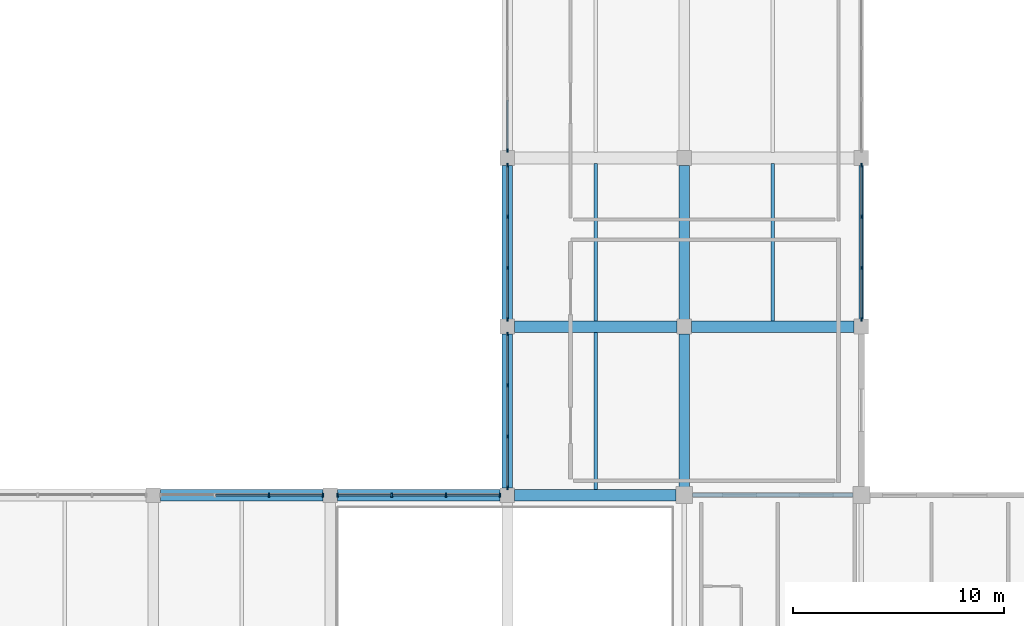
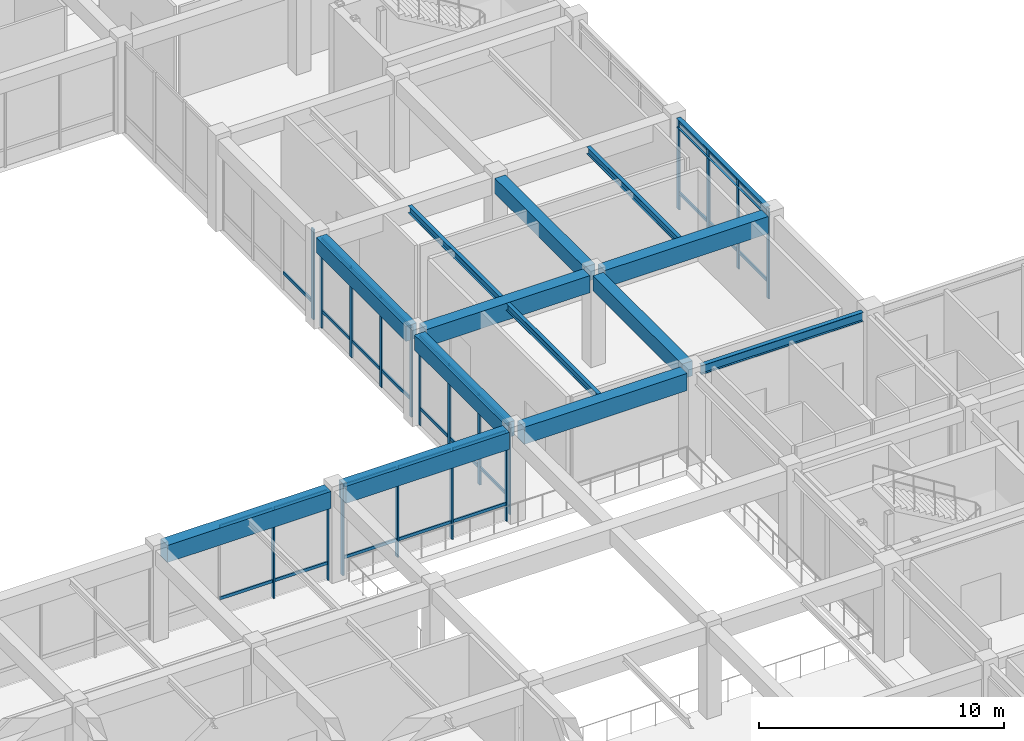
# One storey, part 22 of 76: 48 members, 14 beams, 6 elements without a shape of their own.
"""IFC4 building model written with IfcOpenShell, lengths in metres."""

from ifc_helpers import new_model, si_unit, direction, frame, origin, origin_2d, place, context, subcontext, project, spatial, rectangle, i_section, extrude, material, layer, layer_set, material_profile, profile_set, type_object, element, aggregate, save


model = new_model("IFC4")

# Units and contexts
model_context = context("Model", 3, precision=1e-05, world=origin(), true_north=direction((0.0, 1.0)))
body_context = subcontext(model_context, "Body", "Model", "MODEL_VIEW")
ifc_project = project(units=[si_unit("LENGTHUNIT", "METRE"), si_unit("AREAUNIT", "SQUARE_METRE"), si_unit("VOLUMEUNIT", "CUBIC_METRE"), si_unit("PLANEANGLEUNIT", "RADIAN"), si_unit("MASSUNIT", "GRAM", prefix="KILO")], contexts=[model_context])

# Site, building, storey
site_placement = place(None, origin())
site = spatial("IfcSite", under=ifc_project, at=site_placement, CompositionType="ELEMENT")
building_placement = place(site_placement, origin())
building = spatial("IfcBuilding", under=site, at=building_placement, Name="Naruveol Harbour Congress Hotel", CompositionType="ELEMENT")
storey_placement = place(building_placement, frame((0.0, 0.0, 11.39990234375)))
storey = spatial("IfcBuildingStorey", under=building, at=storey_placement, Name="L02", CompositionType="ELEMENT", Elevation=11.39990234375)

# Beams
ifc_material_1 = material(Name="Concrete C40/50", Category="concrete")
ifc_material_profile_1 = material_profile(ifc_material_1, rectangle(XDim=0.5, YDim=0.75, at=origin_2d()), Name="RCB-500x750")
ifc_profile_set_1 = profile_set([ifc_material_profile_1], Name="Concrete C40/50")
beam_type_1 = type_object("IfcBeamType", Name="RC FLOOR GIRDER 500X750", PredefinedType="BEAM", material=ifc_profile_set_1)
for number, where, z_axis, x_axis, name in (
    (1, (109.199951171875, 32.345947265625, 4.175048828125), (0.0, 1.0, 0.0), (-1.0, 0.0, 0.0), "Transverse girder L03 CB3"),
    (2, (109.199951171875, 40.345947265625, 4.175048828125), (0.0, 1.0, 0.0), (-1.0, 0.0, 0.0), "Transverse girder L03 CB3"),
):
    element("IfcBeam", number, at=place(storey_placement, frame(where, z_axis=z_axis, x_axis=x_axis)), inside=storey, type_object=beam_type_1, Name=name, PredefinedType="BEAM", context=body_context, shape_type="SweptSolid", body=[
        extrude(rectangle(XDim=0.5, YDim=0.75, at=origin_2d()), origin(), (0.0, 0.0, 1.0), 7.30810546875),
    ])
beam_1_placement = place(storey_placement, frame((117.60009765625, 32.39599609375, 4.175048828125), z_axis=(0.0, 1.0, 0.0), x_axis=(-1.0, 0.0, 0.0)))
element("IfcBeam", 3, at=beam_1_placement, inside=storey, type_object=beam_type_1, Name="Transverse girder L03 CB3", PredefinedType="BEAM", context=body_context, shape_type="SweptSolid", body=[
    extrude(rectangle(XDim=0.5, YDim=0.75, at=origin_2d()), origin(), (0.0, 0.0, 1.0), 7.258056640625),
])
beam_2_placement = place(storey_placement, frame((117.60009765625, 40.345947265625, 4.175048828125), z_axis=(0.0, 1.0, 0.0), x_axis=(-1.0, 0.0, 0.0)))
element("IfcBeam", 4, at=beam_2_placement, inside=storey, type_object=beam_type_1, Name="Transverse girder L03 CB3", PredefinedType="BEAM", context=body_context, shape_type="SweptSolid", body=[
    extrude(rectangle(XDim=0.5, YDim=0.75, at=origin_2d()), origin(), (0.0, 0.0, 1.0), 7.30810546875),
])
ifc_material_2 = material(Name="Concrete C40/50", Category="concrete")
ifc_material_profile_2 = material_profile(ifc_material_2, rectangle(XDim=0.550048828125, YDim=0.85009765625, at=origin_2d()), Name="RCB-550x850")
ifc_profile_set_2 = profile_set([ifc_material_profile_2], Name="Concrete C40/50")
beam_type_2 = type_object("IfcBeamType", Name="RC PRIMARY GIRDER 550X850", PredefinedType="BEAM", material=ifc_profile_set_2)
for number, where, z_axis, x_axis, name in (
    (5, (92.74609375, 32.0, 4.125), (1.0, 0.0, 0.0), (0.0, 1.0, 0.0), "Floor girder L03 CB2"),
    (6, (101.14599609375, 32.0, 4.125), (1.0, 0.0, 0.0), (0.0, 1.0, 0.0), "Floor girder L03 CB2"),
):
    element("IfcBeam", number, at=place(storey_placement, frame(where, z_axis=z_axis, x_axis=x_axis)), inside=storey, type_object=beam_type_2, Name=name, PredefinedType="BEAM", context=body_context, shape_type="SweptSolid", body=[
        extrude(rectangle(XDim=0.550048828125, YDim=0.85009765625, at=origin_2d()), origin(), (0.0, 0.0, 1.0), 7.7080078125),
    ])
beam_3_placement = place(storey_placement, frame((109.5458984375, 32.0, 4.125), z_axis=(1.0, 0.0, 0.0), x_axis=(0.0, 1.0, 0.0)))
element("IfcBeam", 7, at=beam_3_placement, inside=storey, type_object=beam_type_2, Name="Floor girder L03 CB2", PredefinedType="BEAM", context=body_context, shape_type="SweptSolid", body=[
    extrude(rectangle(XDim=0.550048828125, YDim=0.85009765625, at=origin_2d()), origin(), (0.0, 0.0, 1.0), 7.658203125),
])
for number, where, z_axis, x_axis, name in (
    (8, (109.5458984375, 40.0, 4.125), (1.0, 0.0, 0.0), (0.0, 1.0, 0.0), "Floor girder L03 CB2"),
    (9, (117.946044921875, 40.0, 4.125), (1.0, 0.0, 0.0), (0.0, 1.0, 0.0), "Floor girder L03 CB2"),
):
    element("IfcBeam", number, at=place(storey_placement, frame(where, z_axis=z_axis, x_axis=x_axis)), inside=storey, type_object=beam_type_2, Name=name, PredefinedType="BEAM", context=body_context, shape_type="SweptSolid", body=[
        extrude(rectangle(XDim=0.550048828125, YDim=0.85009765625, at=origin_2d()), origin(), (0.0, 0.0, 1.0), 7.7080078125),
    ])
ifc_material_3 = material(Name="Steel SN490", Category="steel")
ifc_material_profile_3 = material_profile(ifc_material_3, i_section(OverallWidth=0.175048828125, OverallDepth=0.35009765625, WebThickness=0.007080078125, FlangeThickness=0.010986328125, at=origin_2d()), Name="H-350x175x7x11")
ifc_profile_set_3 = profile_set([ifc_material_profile_3], Name="Steel SN490")
beam_type_3 = type_object("IfcBeamType", Name="STEEL SECONDARY JOIST H350", PredefinedType="JOIST", material=ifc_profile_set_3)
for number, where, z_axis, x_axis, name in (
    (10, (113.39990234375, 32.27099609375, 4.375), (0.0, 1.0, 0.0), (-1.0, 0.0, 0.0), "Secondary floor joist L03 SJ2"),
    (11, (113.39990234375, 40.27099609375, 4.375), (0.0, 1.0, 0.0), (-1.0, 0.0, 0.0), "Secondary floor joist L03 SJ2"),
    (12, (121.800048828125, 40.27099609375, 4.375), (0.0, 1.0, 0.0), (-1.0, 0.0, 0.0), "Secondary floor joist L03 SJ2"),
):
    element("IfcBeam", number, at=place(storey_placement, frame(where, z_axis=z_axis, x_axis=x_axis)), inside=storey, type_object=beam_type_3, Name=name, PredefinedType="JOIST", context=body_context, shape_type="SweptSolid", body=[
        extrude(i_section(OverallWidth=0.175048828125, OverallDepth=0.35009765625, WebThickness=0.007080078125, FlangeThickness=0.010986328125, at=origin_2d()), origin(), (0.0, 0.0, 1.0), 7.4580078125),
    ])
ifc_material_4 = material(Name="Steel SN490", Category="steel")
ifc_material_profile_4 = material_profile(ifc_material_4, i_section(OverallWidth=0.199951171875, OverallDepth=0.449951171875, WebThickness=0.009033203125, FlangeThickness=0.013916015625, at=origin_2d()), Name="H-450x200x9x14")
ifc_profile_set_4 = profile_set([ifc_material_profile_4], Name="Steel SN490")
beam_type_4 = type_object("IfcBeamType", Name="STEEL SPANDREL EDGE BEAM H450", PredefinedType="SPANDREL", material=ifc_profile_set_4)
beam_4_placement = place(storey_placement, frame((126.0, 40.345947265625, 4.3251953125), z_axis=(0.0, 1.0, 0.0), x_axis=(-1.0, 0.0, 0.0)))
element("IfcBeam", 13, at=beam_4_placement, inside=storey, type_object=beam_type_4, Name="Transverse girder L03 SPB2", PredefinedType="SPANDREL", context=body_context, shape_type="SweptSolid", body=[
    extrude(i_section(OverallWidth=0.199951171875, OverallDepth=0.449951171875, WebThickness=0.009033203125, FlangeThickness=0.013916015625, at=origin_2d()), origin(), (0.0, 0.0, 1.0), 7.30810546875),
])
beam_5_placement = place(storey_placement, frame((117.99609375, 32.0, 4.3251953125), z_axis=(1.0, 0.0, 0.0), x_axis=(0.0, 1.0, 0.0)))
element("IfcBeam", 14, at=beam_5_placement, inside=storey, type_object=beam_type_4, Name="Hotel chord beam L03 SPB2", PredefinedType="SPANDREL", context=body_context, shape_type="SweptSolid", body=[
    extrude(i_section(OverallWidth=0.199951171875, OverallDepth=0.449951171875, WebThickness=0.009033203125, FlangeThickness=0.013916015625, at=origin_2d()), origin(), (0.0, 0.0, 1.0), 7.60791015625),
])

# Curtain wall, members
ifc_material_5 = material(Name="Low-E Curtain Wall System", Category="glass")
ifc_layer_1 = layer(ifc_material_5, 0.179931640625)
ifc_layer_set_1 = layer_set([ifc_layer_1], Name="Low-E Curtain Wall System")
curtain_wall_type_1 = type_object("IfcCurtainWallType", Name="UNITISED CURTAIN WALL CW-V4E-39 7300X4500", PredefinedType="USERDEFINED", material=ifc_layer_set_1)
curtain_wall_1_placement = place(storey_placement, origin())
curtain_wall_1 = element("IfcCurtainWall", 15, at=curtain_wall_1_placement, inside=storey, type_object=curtain_wall_type_1, Name="Unitised curtain wall CW-V4E-39 L02", ObjectType="UNITISED GLAZING", PredefinedType="USERDEFINED")
ifc_material_6 = material(Name="Anodised Aluminium 6063-T6", Category="aluminium")
ifc_material_profile_5 = material_profile(ifc_material_6, rectangle(XDim=0.074951171875, YDim=0.179931640625, at=origin_2d()), Name="ALU-75x180")
ifc_profile_set_5 = profile_set([ifc_material_profile_5], Name="Anodised Aluminium 6063-T6")
member_type_1 = type_object("IfcMemberType", Name="THERMAL ALUMINIUM MULLION 75X180", PredefinedType="MULLION", material=ifc_profile_set_5)
member_1_placement = place(storey_placement, frame((126.0, 47.64990234375, 0.0), z_axis=(0.0, 0.0, 1.0), x_axis=(1.0, 0.0, 0.0)))
member_1 = element("IfcMember", 16, at=member_1_placement, type_object=member_type_1, Name="Curtain wall mullion CW-L02-0101-M0", PredefinedType="MULLION", context=body_context, shape_type="SweptSolid", body=[
    extrude(rectangle(XDim=0.074951171875, YDim=0.179931640625, at=origin_2d()), origin(), (0.0, 0.0, 1.0), 4.5),
])
member_2_placement = place(storey_placement, frame((126.0, 45.216796875, 0.0), z_axis=(0.0, 0.0, 1.0), x_axis=(1.0, 0.0, 0.0)))
member_2 = element("IfcMember", 17, at=member_2_placement, type_object=member_type_1, Name="Curtain wall mullion CW-L02-0101-M1", PredefinedType="MULLION", context=body_context, shape_type="SweptSolid", body=[
    extrude(rectangle(XDim=0.074951171875, YDim=0.179931640625, at=origin_2d()), origin(), (0.0, 0.0, 1.0), 4.5),
])
member_3_placement = place(storey_placement, frame((126.0, 42.783203125, 0.0), z_axis=(0.0, 0.0, 1.0), x_axis=(1.0, 0.0, 0.0)))
member_3 = element("IfcMember", 18, at=member_3_placement, type_object=member_type_1, Name="Curtain wall mullion CW-L02-0101-M2", PredefinedType="MULLION", context=body_context, shape_type="SweptSolid", body=[
    extrude(rectangle(XDim=0.074951171875, YDim=0.179931640625, at=origin_2d()), origin(), (0.0, 0.0, 1.0), 4.5),
])
member_4_placement = place(storey_placement, frame((126.0, 40.35009765625, 0.0), z_axis=(0.0, 0.0, 1.0), x_axis=(1.0, 0.0, 0.0)))
member_4 = element("IfcMember", 19, at=member_4_placement, type_object=member_type_1, Name="Curtain wall mullion CW-L02-0101-M3", PredefinedType="MULLION", context=body_context, shape_type="SweptSolid", body=[
    extrude(rectangle(XDim=0.074951171875, YDim=0.179931640625, at=origin_2d()), origin(), (0.0, 0.0, 1.0), 4.5),
])

ifc_material_7 = material(Name="Low-E Curtain Wall System", Category="glass")
ifc_layer_2 = layer(ifc_material_7, 0.179931640625)
ifc_layer_set_2 = layer_set([ifc_layer_2], Name="Low-E Curtain Wall System")
curtain_wall_type_2 = type_object("IfcCurtainWallType", Name="UNITISED CURTAIN WALL CW-CTS-42 7700X4500", PredefinedType="USERDEFINED", material=ifc_layer_set_2)
curtain_wall_2_placement = place(storey_placement, origin())
curtain_wall_2 = element("IfcCurtainWall", 20, at=curtain_wall_2_placement, inside=storey, type_object=curtain_wall_type_2, Name="Unitised curtain wall CW-CTS-42 L02", ObjectType="UNITISED GLAZING", PredefinedType="USERDEFINED")
member_5_placement = place(storey_placement, frame((97.88330078125, 32.0, 0.0), z_axis=(0.0, 0.0, 1.0), x_axis=(1.0, 0.0, 0.0)))
member_5 = element("IfcMember", 21, at=member_5_placement, type_object=member_type_1, Name="Curtain wall mullion CW-L02-0111-M2", PredefinedType="MULLION", context=body_context, shape_type="SweptSolid", body=[
    extrude(rectangle(XDim=0.074951171875, YDim=0.179931640625, at=origin_2d()), origin(), (0.0, 0.0, 1.0), 4.5),
])
member_6_placement = place(storey_placement, frame((100.449951171875, 32.0, 0.0), z_axis=(0.0, 0.0, 1.0), x_axis=(1.0, 0.0, 0.0)))
member_6 = element("IfcMember", 22, at=member_6_placement, type_object=member_type_1, Name="Curtain wall mullion CW-L02-0111-M3", PredefinedType="MULLION", context=body_context, shape_type="SweptSolid", body=[
    extrude(rectangle(XDim=0.074951171875, YDim=0.179931640625, at=origin_2d()), origin(), (0.0, 0.0, 1.0), 4.5),
])

curtain_wall_3_placement = place(storey_placement, origin())
curtain_wall_3 = element("IfcCurtainWall", 23, at=curtain_wall_3_placement, inside=storey, type_object=curtain_wall_type_2, Name="Unitised curtain wall CW-CTS-42 L02", ObjectType="UNITISED GLAZING", PredefinedType="USERDEFINED")
member_7_placement = place(storey_placement, frame((101.14990234375, 32.0, 0.0), z_axis=(0.0, 0.0, 1.0), x_axis=(1.0, 0.0, 0.0)))
member_7 = element("IfcMember", 24, at=member_7_placement, type_object=member_type_1, Name="Curtain wall mullion CW-L02-0113-M0", PredefinedType="MULLION", context=body_context, shape_type="SweptSolid", body=[
    extrude(rectangle(XDim=0.074951171875, YDim=0.179931640625, at=origin_2d()), origin(), (0.0, 0.0, 1.0), 4.5),
])
member_8_placement = place(storey_placement, frame((103.716796875, 32.0, 0.0), z_axis=(0.0, 0.0, 1.0), x_axis=(1.0, 0.0, 0.0)))
member_8 = element("IfcMember", 25, at=member_8_placement, type_object=member_type_1, Name="Curtain wall mullion CW-L02-0113-M1", PredefinedType="MULLION", context=body_context, shape_type="SweptSolid", body=[
    extrude(rectangle(XDim=0.074951171875, YDim=0.179931640625, at=origin_2d()), origin(), (0.0, 0.0, 1.0), 4.5),
])
member_9_placement = place(storey_placement, frame((106.283203125, 32.0, 0.0), z_axis=(0.0, 0.0, 1.0), x_axis=(1.0, 0.0, 0.0)))
member_9 = element("IfcMember", 26, at=member_9_placement, type_object=member_type_1, Name="Curtain wall mullion CW-L02-0113-M2", PredefinedType="MULLION", context=body_context, shape_type="SweptSolid", body=[
    extrude(rectangle(XDim=0.074951171875, YDim=0.179931640625, at=origin_2d()), origin(), (0.0, 0.0, 1.0), 4.5),
])
member_10_placement = place(storey_placement, frame((108.85009765625, 32.0, 0.0), z_axis=(0.0, 0.0, 1.0), x_axis=(1.0, 0.0, 0.0)))
member_10 = element("IfcMember", 27, at=member_10_placement, type_object=member_type_1, Name="Curtain wall mullion CW-L02-0113-M3", PredefinedType="MULLION", context=body_context, shape_type="SweptSolid", body=[
    extrude(rectangle(XDim=0.074951171875, YDim=0.179931640625, at=origin_2d()), origin(), (0.0, 0.0, 1.0), 4.5),
])

ifc_material_8 = material(Name="Low-E Curtain Wall System", Category="glass")
ifc_layer_3 = layer(ifc_material_8, 0.179931640625)
ifc_layer_set_3 = layer_set([ifc_layer_3], Name="Low-E Curtain Wall System")
curtain_wall_type_3 = type_object("IfcCurtainWallType", Name="UNITISED CURTAIN WALL CW-CTE-44 7300X4500", PredefinedType="USERDEFINED", material=ifc_layer_set_3)
curtain_wall_4_placement = place(storey_placement, origin())
curtain_wall_4 = element("IfcCurtainWall", 28, at=curtain_wall_4_placement, inside=storey, type_object=curtain_wall_type_3, Name="Unitised curtain wall CW-CTE-44 L02", ObjectType="UNITISED GLAZING", PredefinedType="USERDEFINED")
member_11_placement = place(storey_placement, frame((109.199951171875, 39.64990234375, 0.0), z_axis=(0.0, 0.0, 1.0), x_axis=(1.0, 0.0, 0.0)))
member_11 = element("IfcMember", 29, at=member_11_placement, type_object=member_type_1, Name="Curtain wall mullion CW-L02-0115-M0", PredefinedType="MULLION", context=body_context, shape_type="SweptSolid", body=[
    extrude(rectangle(XDim=0.074951171875, YDim=0.179931640625, at=origin_2d()), origin(), (0.0, 0.0, 1.0), 4.5),
])
member_12_placement = place(storey_placement, frame((109.199951171875, 37.216796875, 0.0), z_axis=(0.0, 0.0, 1.0), x_axis=(1.0, 0.0, 0.0)))
member_12 = element("IfcMember", 30, at=member_12_placement, type_object=member_type_1, Name="Curtain wall mullion CW-L02-0115-M1", PredefinedType="MULLION", context=body_context, shape_type="SweptSolid", body=[
    extrude(rectangle(XDim=0.074951171875, YDim=0.179931640625, at=origin_2d()), origin(), (0.0, 0.0, 1.0), 4.5),
])
member_13_placement = place(storey_placement, frame((109.199951171875, 34.783203125, 0.0), z_axis=(0.0, 0.0, 1.0), x_axis=(1.0, 0.0, 0.0)))
member_13 = element("IfcMember", 31, at=member_13_placement, type_object=member_type_1, Name="Curtain wall mullion CW-L02-0115-M2", PredefinedType="MULLION", context=body_context, shape_type="SweptSolid", body=[
    extrude(rectangle(XDim=0.074951171875, YDim=0.179931640625, at=origin_2d()), origin(), (0.0, 0.0, 1.0), 4.5),
])
member_14_placement = place(storey_placement, frame((109.199951171875, 32.35009765625, 0.0), z_axis=(0.0, 0.0, 1.0), x_axis=(1.0, 0.0, 0.0)))
member_14 = element("IfcMember", 32, at=member_14_placement, type_object=member_type_1, Name="Curtain wall mullion CW-L02-0115-M3", PredefinedType="MULLION", context=body_context, shape_type="SweptSolid", body=[
    extrude(rectangle(XDim=0.074951171875, YDim=0.179931640625, at=origin_2d()), origin(), (0.0, 0.0, 1.0), 4.5),
])

curtain_wall_5_placement = place(storey_placement, origin())
curtain_wall_5 = element("IfcCurtainWall", 33, at=curtain_wall_5_placement, inside=storey, type_object=curtain_wall_type_3, Name="Unitised curtain wall CW-CTE-44 L02", ObjectType="UNITISED GLAZING", PredefinedType="USERDEFINED")
member_15_placement = place(storey_placement, frame((109.199951171875, 47.64990234375, 0.0), z_axis=(0.0, 0.0, 1.0), x_axis=(1.0, 0.0, 0.0)))
member_15 = element("IfcMember", 34, at=member_15_placement, type_object=member_type_1, Name="Curtain wall mullion CW-L02-0117-M0", PredefinedType="MULLION", context=body_context, shape_type="SweptSolid", body=[
    extrude(rectangle(XDim=0.074951171875, YDim=0.179931640625, at=origin_2d()), origin(), (0.0, 0.0, 1.0), 4.5),
])
member_16_placement = place(storey_placement, frame((109.199951171875, 45.216796875, 0.0), z_axis=(0.0, 0.0, 1.0), x_axis=(1.0, 0.0, 0.0)))
member_16 = element("IfcMember", 35, at=member_16_placement, type_object=member_type_1, Name="Curtain wall mullion CW-L02-0117-M1", PredefinedType="MULLION", context=body_context, shape_type="SweptSolid", body=[
    extrude(rectangle(XDim=0.074951171875, YDim=0.179931640625, at=origin_2d()), origin(), (0.0, 0.0, 1.0), 4.5),
])
member_17_placement = place(storey_placement, frame((109.199951171875, 42.783203125, 0.0), z_axis=(0.0, 0.0, 1.0), x_axis=(1.0, 0.0, 0.0)))
member_17 = element("IfcMember", 36, at=member_17_placement, type_object=member_type_1, Name="Curtain wall mullion CW-L02-0117-M2", PredefinedType="MULLION", context=body_context, shape_type="SweptSolid", body=[
    extrude(rectangle(XDim=0.074951171875, YDim=0.179931640625, at=origin_2d()), origin(), (0.0, 0.0, 1.0), 4.5),
])
member_18_placement = place(storey_placement, frame((109.199951171875, 40.35009765625, 0.0), z_axis=(0.0, 0.0, 1.0), x_axis=(1.0, 0.0, 0.0)))
member_18 = element("IfcMember", 37, at=member_18_placement, type_object=member_type_1, Name="Curtain wall mullion CW-L02-0117-M3", PredefinedType="MULLION", context=body_context, shape_type="SweptSolid", body=[
    extrude(rectangle(XDim=0.074951171875, YDim=0.179931640625, at=origin_2d()), origin(), (0.0, 0.0, 1.0), 4.5),
])

# Curtain wall, member
curtain_wall_6_placement = place(storey_placement, origin())
curtain_wall_6 = element("IfcCurtainWall", 38, at=curtain_wall_6_placement, inside=storey, type_object=curtain_wall_type_3, Name="Unitised curtain wall CW-CTE-44 L02", ObjectType="UNITISED GLAZING", PredefinedType="USERDEFINED")
member_19_placement = place(storey_placement, frame((109.199951171875, 48.35009765625, 0.0), z_axis=(0.0, 0.0, 1.0), x_axis=(1.0, 0.0, 0.0)))
member_19 = element("IfcMember", 39, at=member_19_placement, type_object=member_type_1, Name="Curtain wall mullion CW-L02-0119-M3", PredefinedType="MULLION", context=body_context, shape_type="SweptSolid", body=[
    extrude(rectangle(XDim=0.074951171875, YDim=0.179931640625, at=origin_2d()), origin(), (0.0, 0.0, 1.0), 4.5),
])

# Member
ifc_material_9 = material(Name="Anodised Aluminium 6063-T6", Category="aluminium")
ifc_material_profile_6 = material_profile(ifc_material_9, rectangle(XDim=0.074951171875, YDim=0.14990234375, at=origin_2d()), Name="ALU-75x150")
ifc_profile_set_6 = profile_set([ifc_material_profile_6], Name="Anodised Aluminium 6063-T6")
member_type_2 = type_object("IfcMemberType", Name="THERMAL ALUMINIUM TRANSOM 75X150", PredefinedType="USERDEFINED", material=ifc_profile_set_6)
member_20_placement = place(storey_placement, frame((126.0, 47.610107421875, 0.85009765625), z_axis=(0.0, -1.0, 0.0), x_axis=(1.0, 0.0, 0.0)))
member_20 = element("IfcMember", 40, at=member_20_placement, type_object=member_type_2, Name="Curtain wall transom CW-L02-0101-T0.1", ObjectType="TRANSOM", PredefinedType="USERDEFINED", context=body_context, shape_type="SweptSolid", body=[
    extrude(rectangle(XDim=0.074951171875, YDim=0.14990234375, at=origin_2d()), origin(), (0.0, 0.0, 1.0), 2.353515625),
])

member_21_placement = place(storey_placement, frame((126.0, 47.610107421875, 4.420166015625), z_axis=(0.0, -1.0, 0.0), x_axis=(1.0, 0.0, 0.0)))
member_21 = element("IfcMember", 41, at=member_21_placement, type_object=member_type_2, Name="Curtain wall transom CW-L02-0101-T0.2", ObjectType="TRANSOM", PredefinedType="USERDEFINED", context=body_context, shape_type="SweptSolid", body=[
    extrude(rectangle(XDim=0.074951171875, YDim=0.14990234375, at=origin_2d()), origin(), (0.0, 0.0, 1.0), 2.353515625),
])

member_22_placement = place(storey_placement, frame((126.0, 45.1767578125, 0.85009765625), z_axis=(0.0, -1.0, 0.0), x_axis=(1.0, 0.0, 0.0)))
member_22 = element("IfcMember", 42, at=member_22_placement, type_object=member_type_2, Name="Curtain wall transom CW-L02-0101-T1.1", ObjectType="TRANSOM", PredefinedType="USERDEFINED", context=body_context, shape_type="SweptSolid", body=[
    extrude(rectangle(XDim=0.074951171875, YDim=0.14990234375, at=origin_2d()), origin(), (0.0, 0.0, 1.0), 2.353515625),
])

member_23_placement = place(storey_placement, frame((126.0, 45.1767578125, 4.420166015625), z_axis=(0.0, -1.0, 0.0), x_axis=(1.0, 0.0, 0.0)))
member_23 = element("IfcMember", 43, at=member_23_placement, type_object=member_type_2, Name="Curtain wall transom CW-L02-0101-T1.2", ObjectType="TRANSOM", PredefinedType="USERDEFINED", context=body_context, shape_type="SweptSolid", body=[
    extrude(rectangle(XDim=0.074951171875, YDim=0.14990234375, at=origin_2d()), origin(), (0.0, 0.0, 1.0), 2.353515625),
])

member_24_placement = place(storey_placement, frame((126.0, 42.743408203125, 0.85009765625), z_axis=(0.0, -1.0, 0.0), x_axis=(1.0, 0.0, 0.0)))
member_24 = element("IfcMember", 44, at=member_24_placement, type_object=member_type_2, Name="Curtain wall transom CW-L02-0101-T2.1", ObjectType="TRANSOM", PredefinedType="USERDEFINED", context=body_context, shape_type="SweptSolid", body=[
    extrude(rectangle(XDim=0.074951171875, YDim=0.14990234375, at=origin_2d()), origin(), (0.0, 0.0, 1.0), 2.353515625),
])

member_25_placement = place(storey_placement, frame((126.0, 42.743408203125, 4.420166015625), z_axis=(0.0, -1.0, 0.0), x_axis=(1.0, 0.0, 0.0)))
member_25 = element("IfcMember", 45, at=member_25_placement, type_object=member_type_2, Name="Curtain wall transom CW-L02-0101-T2.2", ObjectType="TRANSOM", PredefinedType="USERDEFINED", context=body_context, shape_type="SweptSolid", body=[
    extrude(rectangle(XDim=0.074951171875, YDim=0.14990234375, at=origin_2d()), origin(), (0.0, 0.0, 1.0), 2.353515625),
])

aggregate(curtain_wall_1, [member_1, member_2, member_3, member_4, member_20, member_21, member_22, member_23, member_24, member_25])

member_26_placement = place(storey_placement, frame((95.356689453125, 32.0, 0.85009765625), z_axis=(1.0, 0.0, 0.0), x_axis=(0.0, 1.0, 0.0)))
member_26 = element("IfcMember", 46, at=member_26_placement, type_object=member_type_2, Name="Curtain wall transom CW-L02-0111-T1.1", ObjectType="TRANSOM", PredefinedType="USERDEFINED", context=body_context, shape_type="SweptSolid", body=[
    extrude(rectangle(XDim=0.074951171875, YDim=0.14990234375, at=origin_2d()), origin(), (0.0, 0.0, 1.0), 2.486572265625),
])

member_27_placement = place(storey_placement, frame((95.356689453125, 32.0, 4.420166015625), z_axis=(1.0, 0.0, 0.0), x_axis=(0.0, 1.0, 0.0)))
member_27 = element("IfcMember", 47, at=member_27_placement, type_object=member_type_2, Name="Curtain wall transom CW-L02-0111-T1.2", ObjectType="TRANSOM", PredefinedType="USERDEFINED", context=body_context, shape_type="SweptSolid", body=[
    extrude(rectangle(XDim=0.074951171875, YDim=0.14990234375, at=origin_2d()), origin(), (0.0, 0.0, 1.0), 2.486572265625),
])

member_28_placement = place(storey_placement, frame((97.92333984375, 32.0, 0.85009765625), z_axis=(1.0, 0.0, 0.0), x_axis=(0.0, 1.0, 0.0)))
member_28 = element("IfcMember", 48, at=member_28_placement, type_object=member_type_2, Name="Curtain wall transom CW-L02-0111-T2.1", ObjectType="TRANSOM", PredefinedType="USERDEFINED", context=body_context, shape_type="SweptSolid", body=[
    extrude(rectangle(XDim=0.074951171875, YDim=0.14990234375, at=origin_2d()), origin(), (0.0, 0.0, 1.0), 2.486572265625),
])

member_29_placement = place(storey_placement, frame((97.92333984375, 32.0, 4.420166015625), z_axis=(1.0, 0.0, 0.0), x_axis=(0.0, 1.0, 0.0)))
member_29 = element("IfcMember", 49, at=member_29_placement, type_object=member_type_2, Name="Curtain wall transom CW-L02-0111-T2.2", ObjectType="TRANSOM", PredefinedType="USERDEFINED", context=body_context, shape_type="SweptSolid", body=[
    extrude(rectangle(XDim=0.074951171875, YDim=0.14990234375, at=origin_2d()), origin(), (0.0, 0.0, 1.0), 2.486572265625),
])

aggregate(curtain_wall_2, [member_5, member_6, member_26, member_27, member_28, member_29])

member_30_placement = place(storey_placement, frame((101.18994140625, 32.0, 0.85009765625), z_axis=(1.0, 0.0, 0.0), x_axis=(0.0, 1.0, 0.0)))
member_30 = element("IfcMember", 50, at=member_30_placement, type_object=member_type_2, Name="Curtain wall transom CW-L02-0113-T0.1", ObjectType="TRANSOM", PredefinedType="USERDEFINED", context=body_context, shape_type="SweptSolid", body=[
    extrude(rectangle(XDim=0.074951171875, YDim=0.14990234375, at=origin_2d()), origin(), (0.0, 0.0, 1.0), 2.48681640625),
])

member_31_placement = place(storey_placement, frame((101.18994140625, 32.0, 4.420166015625), z_axis=(1.0, 0.0, 0.0), x_axis=(0.0, 1.0, 0.0)))
member_31 = element("IfcMember", 51, at=member_31_placement, type_object=member_type_2, Name="Curtain wall transom CW-L02-0113-T0.2", ObjectType="TRANSOM", PredefinedType="USERDEFINED", context=body_context, shape_type="SweptSolid", body=[
    extrude(rectangle(XDim=0.074951171875, YDim=0.14990234375, at=origin_2d()), origin(), (0.0, 0.0, 1.0), 2.48681640625),
])

member_32_placement = place(storey_placement, frame((103.756591796875, 32.0, 0.85009765625), z_axis=(1.0, 0.0, 0.0), x_axis=(0.0, 1.0, 0.0)))
member_32 = element("IfcMember", 52, at=member_32_placement, type_object=member_type_2, Name="Curtain wall transom CW-L02-0113-T1.1", ObjectType="TRANSOM", PredefinedType="USERDEFINED", context=body_context, shape_type="SweptSolid", body=[
    extrude(rectangle(XDim=0.074951171875, YDim=0.14990234375, at=origin_2d()), origin(), (0.0, 0.0, 1.0), 2.48681640625),
])

member_33_placement = place(storey_placement, frame((103.756591796875, 32.0, 4.420166015625), z_axis=(1.0, 0.0, 0.0), x_axis=(0.0, 1.0, 0.0)))
member_33 = element("IfcMember", 53, at=member_33_placement, type_object=member_type_2, Name="Curtain wall transom CW-L02-0113-T1.2", ObjectType="TRANSOM", PredefinedType="USERDEFINED", context=body_context, shape_type="SweptSolid", body=[
    extrude(rectangle(XDim=0.074951171875, YDim=0.14990234375, at=origin_2d()), origin(), (0.0, 0.0, 1.0), 2.48681640625),
])

member_34_placement = place(storey_placement, frame((106.3232421875, 32.0, 0.85009765625), z_axis=(1.0, 0.0, 0.0), x_axis=(0.0, 1.0, 0.0)))
member_34 = element("IfcMember", 54, at=member_34_placement, type_object=member_type_2, Name="Curtain wall transom CW-L02-0113-T2.1", ObjectType="TRANSOM", PredefinedType="USERDEFINED", context=body_context, shape_type="SweptSolid", body=[
    extrude(rectangle(XDim=0.074951171875, YDim=0.14990234375, at=origin_2d()), origin(), (0.0, 0.0, 1.0), 2.48681640625),
])

member_35_placement = place(storey_placement, frame((106.3232421875, 32.0, 4.420166015625), z_axis=(1.0, 0.0, 0.0), x_axis=(0.0, 1.0, 0.0)))
member_35 = element("IfcMember", 55, at=member_35_placement, type_object=member_type_2, Name="Curtain wall transom CW-L02-0113-T2.2", ObjectType="TRANSOM", PredefinedType="USERDEFINED", context=body_context, shape_type="SweptSolid", body=[
    extrude(rectangle(XDim=0.074951171875, YDim=0.14990234375, at=origin_2d()), origin(), (0.0, 0.0, 1.0), 2.48681640625),
])

aggregate(curtain_wall_3, [member_7, member_8, member_9, member_10, member_30, member_31, member_32, member_33, member_34, member_35])

member_36_placement = place(storey_placement, frame((109.199951171875, 39.610107421875, 0.85009765625), z_axis=(0.0, -1.0, 0.0), x_axis=(1.0, 0.0, 0.0)))
member_36 = element("IfcMember", 56, at=member_36_placement, type_object=member_type_2, Name="Curtain wall transom CW-L02-0115-T0.1", ObjectType="TRANSOM", PredefinedType="USERDEFINED", context=body_context, shape_type="SweptSolid", body=[
    extrude(rectangle(XDim=0.074951171875, YDim=0.14990234375, at=origin_2d()), origin(), (0.0, 0.0, 1.0), 2.353515625),
])

member_37_placement = place(storey_placement, frame((109.199951171875, 39.610107421875, 4.420166015625), z_axis=(0.0, -1.0, 0.0), x_axis=(1.0, 0.0, 0.0)))
member_37 = element("IfcMember", 57, at=member_37_placement, type_object=member_type_2, Name="Curtain wall transom CW-L02-0115-T0.2", ObjectType="TRANSOM", PredefinedType="USERDEFINED", context=body_context, shape_type="SweptSolid", body=[
    extrude(rectangle(XDim=0.074951171875, YDim=0.14990234375, at=origin_2d()), origin(), (0.0, 0.0, 1.0), 2.353515625),
])

member_38_placement = place(storey_placement, frame((109.199951171875, 37.1767578125, 0.85009765625), z_axis=(0.0, -1.0, 0.0), x_axis=(1.0, 0.0, 0.0)))
member_38 = element("IfcMember", 58, at=member_38_placement, type_object=member_type_2, Name="Curtain wall transom CW-L02-0115-T1.1", ObjectType="TRANSOM", PredefinedType="USERDEFINED", context=body_context, shape_type="SweptSolid", body=[
    extrude(rectangle(XDim=0.074951171875, YDim=0.14990234375, at=origin_2d()), origin(), (0.0, 0.0, 1.0), 2.353515625),
])

member_39_placement = place(storey_placement, frame((109.199951171875, 37.1767578125, 4.420166015625), z_axis=(0.0, -1.0, 0.0), x_axis=(1.0, 0.0, 0.0)))
member_39 = element("IfcMember", 59, at=member_39_placement, type_object=member_type_2, Name="Curtain wall transom CW-L02-0115-T1.2", ObjectType="TRANSOM", PredefinedType="USERDEFINED", context=body_context, shape_type="SweptSolid", body=[
    extrude(rectangle(XDim=0.074951171875, YDim=0.14990234375, at=origin_2d()), origin(), (0.0, 0.0, 1.0), 2.353515625),
])

member_40_placement = place(storey_placement, frame((109.199951171875, 34.743408203125, 0.85009765625), z_axis=(0.0, -1.0, 0.0), x_axis=(1.0, 0.0, 0.0)))
member_40 = element("IfcMember", 60, at=member_40_placement, type_object=member_type_2, Name="Curtain wall transom CW-L02-0115-T2.1", ObjectType="TRANSOM", PredefinedType="USERDEFINED", context=body_context, shape_type="SweptSolid", body=[
    extrude(rectangle(XDim=0.074951171875, YDim=0.14990234375, at=origin_2d()), origin(), (0.0, 0.0, 1.0), 2.353515625),
])

member_41_placement = place(storey_placement, frame((109.199951171875, 34.743408203125, 4.420166015625), z_axis=(0.0, -1.0, 0.0), x_axis=(1.0, 0.0, 0.0)))
member_41 = element("IfcMember", 61, at=member_41_placement, type_object=member_type_2, Name="Curtain wall transom CW-L02-0115-T2.2", ObjectType="TRANSOM", PredefinedType="USERDEFINED", context=body_context, shape_type="SweptSolid", body=[
    extrude(rectangle(XDim=0.074951171875, YDim=0.14990234375, at=origin_2d()), origin(), (0.0, 0.0, 1.0), 2.353515625),
])

aggregate(curtain_wall_4, [member_11, member_12, member_13, member_14, member_36, member_37, member_38, member_39, member_40, member_41])

member_42_placement = place(storey_placement, frame((109.199951171875, 47.610107421875, 0.85009765625), z_axis=(0.0, -1.0, 0.0), x_axis=(1.0, 0.0, 0.0)))
member_42 = element("IfcMember", 62, at=member_42_placement, type_object=member_type_2, Name="Curtain wall transom CW-L02-0117-T0.1", ObjectType="TRANSOM", PredefinedType="USERDEFINED", context=body_context, shape_type="SweptSolid", body=[
    extrude(rectangle(XDim=0.074951171875, YDim=0.14990234375, at=origin_2d()), origin(), (0.0, 0.0, 1.0), 2.353515625),
])

member_43_placement = place(storey_placement, frame((109.199951171875, 47.610107421875, 4.420166015625), z_axis=(0.0, -1.0, 0.0), x_axis=(1.0, 0.0, 0.0)))
member_43 = element("IfcMember", 63, at=member_43_placement, type_object=member_type_2, Name="Curtain wall transom CW-L02-0117-T0.2", ObjectType="TRANSOM", PredefinedType="USERDEFINED", context=body_context, shape_type="SweptSolid", body=[
    extrude(rectangle(XDim=0.074951171875, YDim=0.14990234375, at=origin_2d()), origin(), (0.0, 0.0, 1.0), 2.353515625),
])

member_44_placement = place(storey_placement, frame((109.199951171875, 45.1767578125, 0.85009765625), z_axis=(0.0, -1.0, 0.0), x_axis=(1.0, 0.0, 0.0)))
member_44 = element("IfcMember", 64, at=member_44_placement, type_object=member_type_2, Name="Curtain wall transom CW-L02-0117-T1.1", ObjectType="TRANSOM", PredefinedType="USERDEFINED", context=body_context, shape_type="SweptSolid", body=[
    extrude(rectangle(XDim=0.074951171875, YDim=0.14990234375, at=origin_2d()), origin(), (0.0, 0.0, 1.0), 2.353515625),
])

member_45_placement = place(storey_placement, frame((109.199951171875, 45.1767578125, 4.420166015625), z_axis=(0.0, -1.0, 0.0), x_axis=(1.0, 0.0, 0.0)))
member_45 = element("IfcMember", 65, at=member_45_placement, type_object=member_type_2, Name="Curtain wall transom CW-L02-0117-T1.2", ObjectType="TRANSOM", PredefinedType="USERDEFINED", context=body_context, shape_type="SweptSolid", body=[
    extrude(rectangle(XDim=0.074951171875, YDim=0.14990234375, at=origin_2d()), origin(), (0.0, 0.0, 1.0), 2.353515625),
])

member_46_placement = place(storey_placement, frame((109.199951171875, 42.743408203125, 0.85009765625), z_axis=(0.0, -1.0, 0.0), x_axis=(1.0, 0.0, 0.0)))
member_46 = element("IfcMember", 66, at=member_46_placement, type_object=member_type_2, Name="Curtain wall transom CW-L02-0117-T2.1", ObjectType="TRANSOM", PredefinedType="USERDEFINED", context=body_context, shape_type="SweptSolid", body=[
    extrude(rectangle(XDim=0.074951171875, YDim=0.14990234375, at=origin_2d()), origin(), (0.0, 0.0, 1.0), 2.353515625),
])

member_47_placement = place(storey_placement, frame((109.199951171875, 42.743408203125, 4.420166015625), z_axis=(0.0, -1.0, 0.0), x_axis=(1.0, 0.0, 0.0)))
member_47 = element("IfcMember", 67, at=member_47_placement, type_object=member_type_2, Name="Curtain wall transom CW-L02-0117-T2.2", ObjectType="TRANSOM", PredefinedType="USERDEFINED", context=body_context, shape_type="SweptSolid", body=[
    extrude(rectangle(XDim=0.074951171875, YDim=0.14990234375, at=origin_2d()), origin(), (0.0, 0.0, 1.0), 2.353515625),
])

aggregate(curtain_wall_5, [member_15, member_16, member_17, member_18, member_42, member_43, member_44, member_45, member_46, member_47])

member_48_placement = place(storey_placement, frame((109.199951171875, 50.743408203125, 0.85009765625), z_axis=(0.0, -1.0, 0.0), x_axis=(1.0, 0.0, 0.0)))
member_48 = element("IfcMember", 68, at=member_48_placement, type_object=member_type_2, Name="Curtain wall transom CW-L02-0119-T2.1", ObjectType="TRANSOM", PredefinedType="USERDEFINED", context=body_context, shape_type="SweptSolid", body=[
    extrude(rectangle(XDim=0.074951171875, YDim=0.14990234375, at=origin_2d()), origin(), (0.0, 0.0, 1.0), 2.353515625),
])

aggregate(curtain_wall_6, [member_19, member_48])

save(model, "model.ifc")
